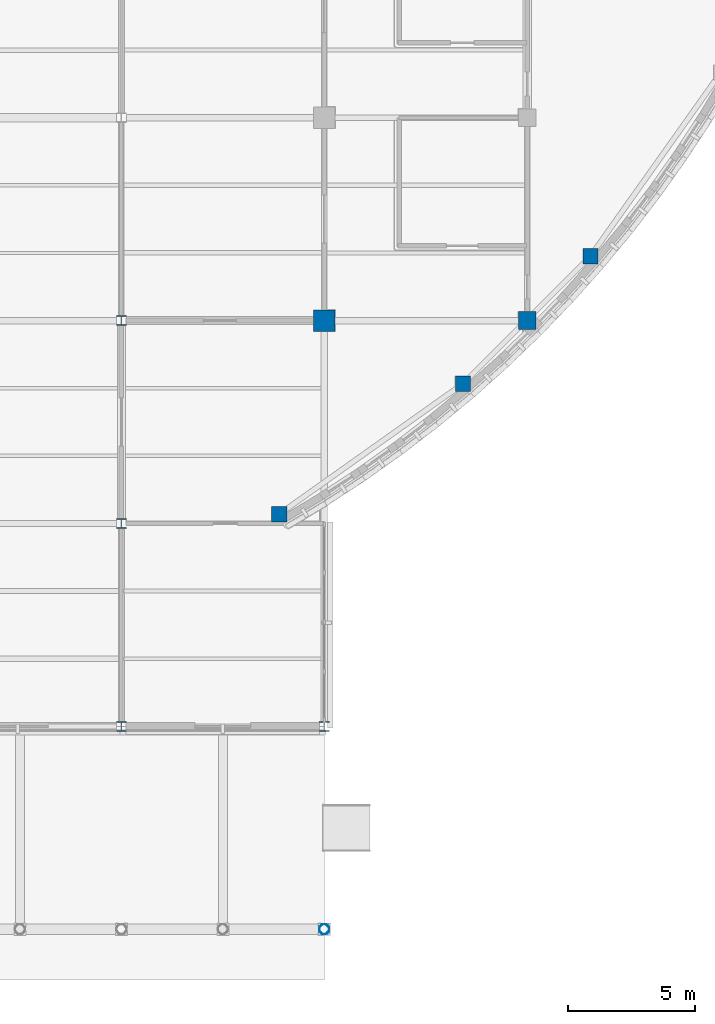
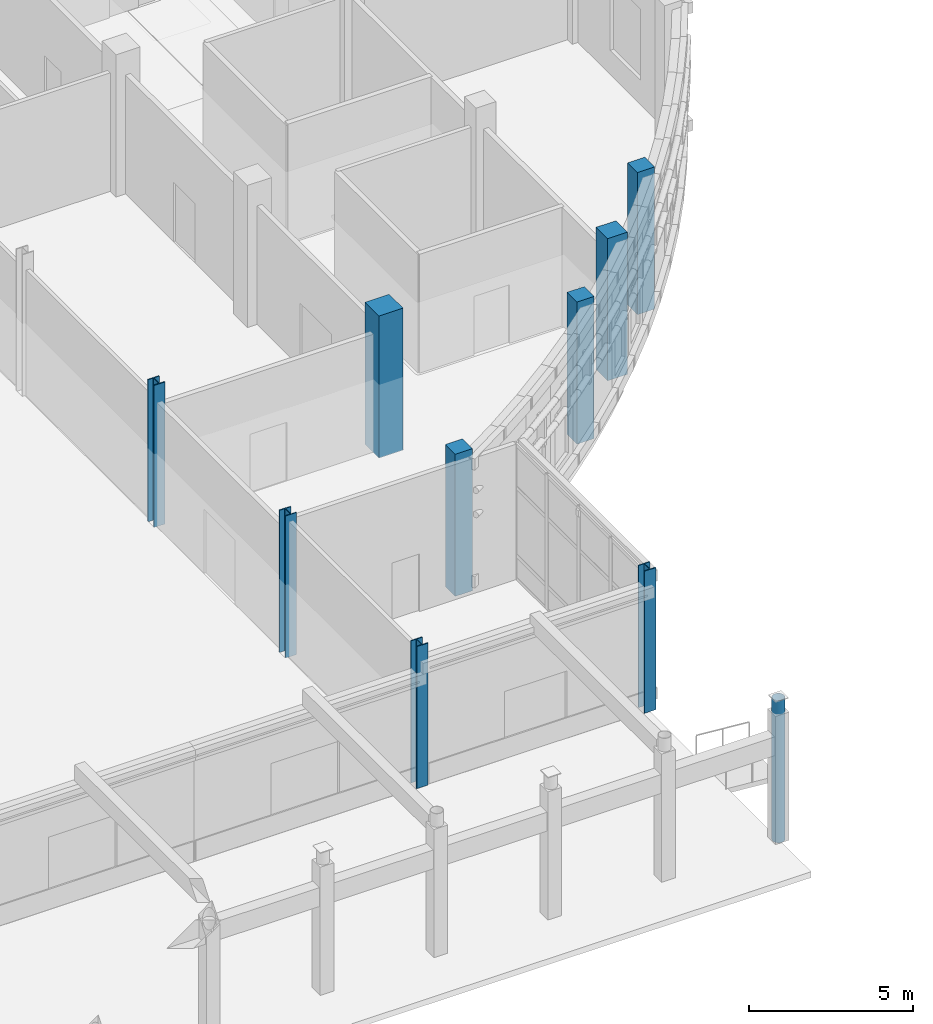
# One storey, part 3 of 105: 10 columns.
"""IFC4 building model written with IfcOpenShell, lengths in metres."""

from ifc_helpers import new_model, si_unit, derived_unit, direction, frame, origin, origin_2d, place, context, subcontext, project, spatial, rectangle, hollow_circle, i_section, extrude, material, material_profile, profile_set, type_object, element, save


model = new_model("IFC4")

# Units and contexts
model_context = context("Model", 3, precision=1e-05, world=origin(), true_north=direction((0.0, 1.0)))
body_context = subcontext(model_context, "Body", "Model", "MODEL_VIEW")
ifc_project = project(units=[si_unit("LENGTHUNIT", "METRE"), si_unit("AREAUNIT", "SQUARE_METRE"), si_unit("VOLUMEUNIT", "CUBIC_METRE"), si_unit("PLANEANGLEUNIT", "RADIAN"), si_unit("MASSUNIT", "GRAM", prefix="KILO"), derived_unit("THERMALTRANSMITTANCEUNIT", [(si_unit("MASSUNIT", "GRAM", prefix="KILO"), 1), (si_unit("TIMEUNIT", "SECOND"), -3), (si_unit("THERMODYNAMICTEMPERATUREUNIT", "KELVIN"), -1)])], contexts=[model_context])

# Site, building, storey
site_placement = place(None, origin())
site = spatial("IfcSite", under=ifc_project, at=site_placement, CompositionType="ELEMENT")
building_placement = place(site_placement, origin())
building = spatial("IfcBuilding", under=site, at=building_placement, Name="Veyamyaing Civic Hall", CompositionType="ELEMENT")
storey_placement = place(building_placement, origin())
storey = spatial("IfcBuildingStorey", under=building, at=storey_placement, Name="L00", CompositionType="ELEMENT", Elevation=0.0)

# Columns
ifc_material_1 = material(Name="Concrete C45/55", Category="concrete")
ifc_material_profile_1 = material_profile(ifc_material_1, rectangle(XDim=0.85009765625, YDim=0.85009765625, at=origin_2d()), Name="RC-COL-850X850")
ifc_profile_set_1 = profile_set([ifc_material_profile_1], Name="Concrete C45/55")
column_type_1 = type_object("IfcColumnType", Name="C-01", PredefinedType="COLUMN", material=ifc_profile_set_1)
column_1_placement = place(storey_placement, frame((104.0, 24.0, 0.0), z_axis=(0.0, 0.0, 1.0), x_axis=(1.0, 0.0, 0.0)))
element("IfcColumn", 1, at=column_1_placement, inside=storey, type_object=column_type_1, Name="Column C-01 14-D L00", PredefinedType="COLUMN", context=body_context, shape_type="SweptSolid", body=[
    extrude(rectangle(XDim=0.85009765625, YDim=0.85009765625, at=origin_2d()), origin(), (0.0, 0.0, 1.0), 5.280029296875),
])
ifc_material_profile_2 = material_profile(ifc_material_1, rectangle(XDim=0.699951171875, YDim=0.699951171875, at=origin_2d()), Name="RC-COL-700X700")
ifc_profile_set_2 = profile_set([ifc_material_profile_2], Name="Concrete C45/55")
column_type_2 = type_object("IfcColumnType", Name="C-04", PredefinedType="COLUMN", material=ifc_profile_set_2)
column_2_placement = place(storey_placement, frame((112.0, 24.0, 0.0), z_axis=(0.0, 0.0, 1.0), x_axis=(1.0, 0.0, 0.0)))
element("IfcColumn", 2, at=column_2_placement, inside=storey, type_object=column_type_2, Name="Column C-04 15-D L00", PredefinedType="COLUMN", context=body_context, shape_type="SweptSolid", body=[
    extrude(rectangle(XDim=0.699951171875, YDim=0.699951171875, at=origin_2d()), origin(), (0.0, 0.0, 1.0), 5.280029296875),
])
ifc_material_profile_3 = material_profile(ifc_material_1, rectangle(XDim=0.60009765625, YDim=0.60009765625, at=origin_2d()), Name="RC-COL-600X600")
ifc_profile_set_3 = profile_set([ifc_material_profile_3], Name="Concrete C45/55")
column_type_3 = type_object("IfcColumnType", Name="C-06", PredefinedType="COLUMN", material=ifc_profile_set_3)
for number, where, z_axis, x_axis, name in (
    (3, (102.220703125, 16.36376953125, 0.0), (0.0, 0.0, 1.0), (1.0, 0.0, 0.0), "Curved corner column C-06 ARC-SE-00 L00"),
    (4, (109.466552734375, 21.5048828125, 0.0), (0.0, 0.0, 1.0), (1.0, 0.0, 0.0), "Curved corner column C-06 ARC-SE-05 L00"),
    (5, (114.4951171875, 26.533447265625, 0.0), (0.0, 0.0, 1.0), (1.0, 0.0, 0.0), "Curved corner column C-06 ARC-SE-09 L00"),
):
    element("IfcColumn", number, at=place(storey_placement, frame(where, z_axis=z_axis, x_axis=x_axis)), inside=storey, type_object=column_type_3, Name=name, PredefinedType="COLUMN", context=body_context, shape_type="SweptSolid", body=[
        extrude(rectangle(XDim=0.60009765625, YDim=0.60009765625, at=origin_2d()), origin(), (0.0, 0.0, 1.0), 5.280029296875),
    ])
ifc_material_2 = material(Name="Steel S355J2", Category="steel")
ifc_material_profile_4 = material_profile(ifc_material_2, i_section(OverallWidth=0.39794921875, OverallDepth=0.386962890625, WebThickness=0.02099609375, FlangeThickness=0.033203125, FilletRadius=0.014892578125, at=origin_2d()), Name="W360X262")
ifc_profile_set_4 = profile_set([ifc_material_profile_4], Name="Steel S355J2")
column_type_4 = type_object("IfcColumnType", Name="C-08", PredefinedType="COLUMN", material=ifc_profile_set_4)
for number, where, z_axis, x_axis, name in (
    (6, (96.0, 8.0, 0.0), (0.0, 0.0, 1.0), (1.0, 0.0, 0.0), "Column C-08 13-B L00"),
    (7, (96.0, 16.0, 0.0), (0.0, 0.0, 1.0), (1.0, 0.0, 0.0), "Column C-08 13-C L00"),
    (8, (96.0, 24.0, 0.0), (0.0, 0.0, 1.0), (1.0, 0.0, 0.0), "Column C-08 13-D L00"),
    (9, (104.0, 8.0, 0.0), (0.0, 0.0, 1.0), (1.0, 0.0, 0.0), "Column C-08 14-B L00"),
):
    element("IfcColumn", number, at=place(storey_placement, frame(where, z_axis=z_axis, x_axis=x_axis)), inside=storey, type_object=column_type_4, Name=name, PredefinedType="COLUMN", context=body_context, shape_type="SweptSolid", body=[
        extrude(i_section(OverallWidth=0.39794921875, OverallDepth=0.386962890625, WebThickness=0.02099609375, FlangeThickness=0.033203125, FilletRadius=0.014892578125, at=origin_2d()), origin(), (0.0, 0.0, 1.0), 5.280029296875),
    ])
ifc_material_profile_5 = material_profile(ifc_material_2, hollow_circle(Radius=0.203125, WallThickness=0.0126953125, at=origin_2d()), Name="CHS406X12.7")
ifc_profile_set_5 = profile_set([ifc_material_profile_5], Name="Steel S355J2")
column_type_5 = type_object("IfcColumnType", Name="C-11", PredefinedType="COLUMN", material=ifc_profile_set_5)
column_3_placement = place(storey_placement, frame((104.0, 0.0, 0.0), z_axis=(0.0, 0.0, 1.0), x_axis=(1.0, 0.0, 0.0)))
element("IfcColumn", 10, at=column_3_placement, inside=storey, type_object=column_type_5, Name="Column C-11 14-A L00", PredefinedType="COLUMN", context=body_context, shape_type="SweptSolid", body=[
    extrude(hollow_circle(Radius=0.203125, WallThickness=0.0126953125, at=origin_2d()), origin(), (0.0, 0.0, 1.0), 5.280029296875),
])

save(model, "model.ifc")
